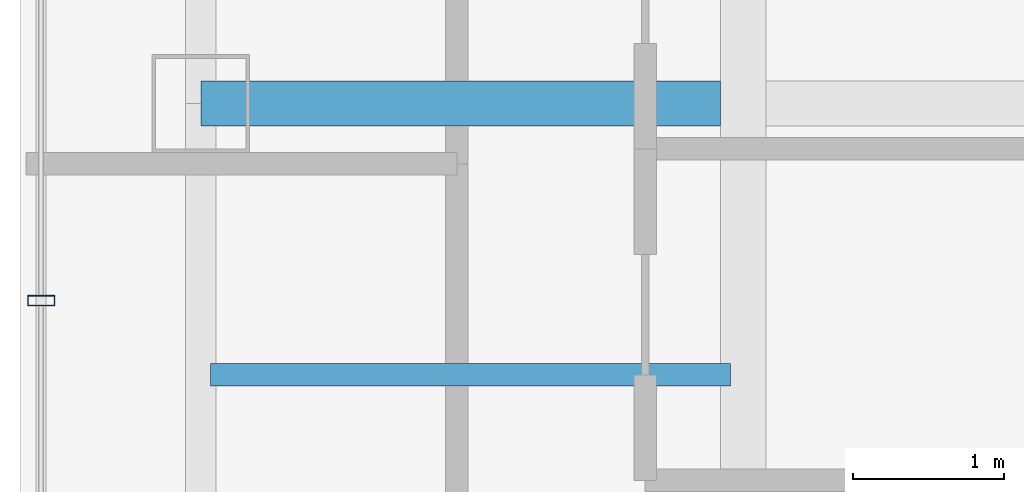
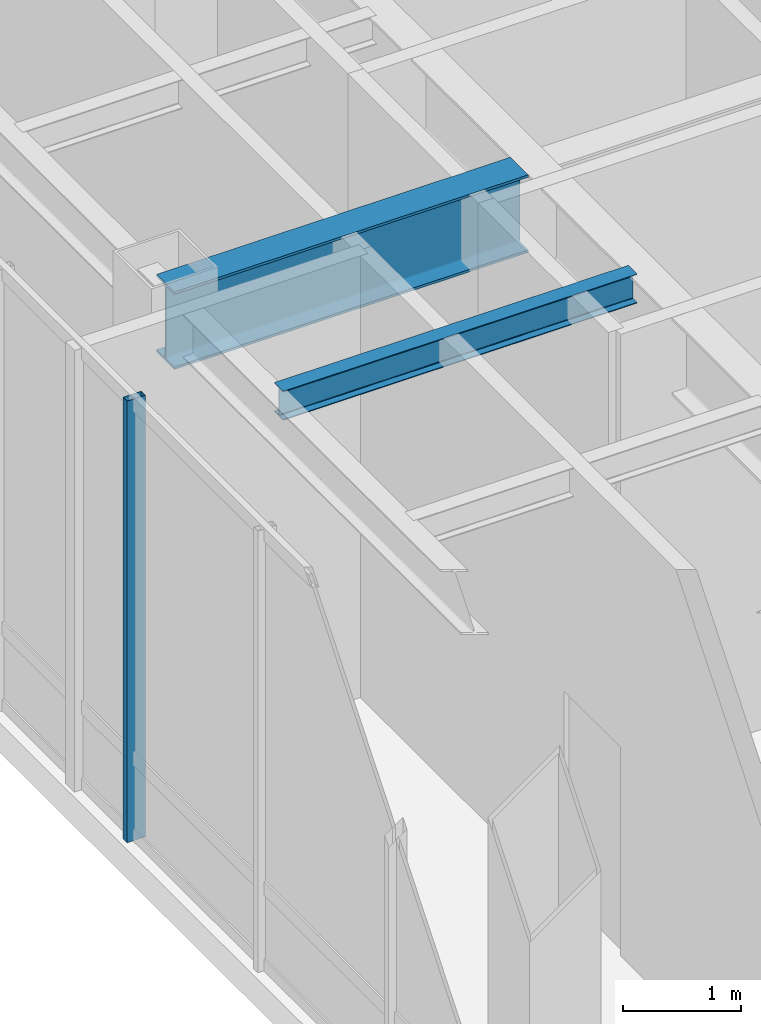
# One storey, part 4 of 21: 2 beams, 1 member, 1 element without a shape of its own.
"""IFC4 building model written with IfcOpenShell, lengths in metres."""

from ifc_helpers import new_model, si_unit, direction, frame, origin, origin_2d, place, context, subcontext, project, spatial, hollow_rectangle, i_section, extrude, material, layer, layer_set, material_profile, profile_set, type_object, element, aggregate, save


model = new_model("IFC4")

# Units and contexts
model_context = context("Model", 3, precision=1e-05, world=origin(), true_north=direction((0.0, 1.0)))
body_context = subcontext(model_context, "Body", "Model", "MODEL_VIEW")
ifc_project = project(units=[si_unit("LENGTHUNIT", "METRE"), si_unit("AREAUNIT", "SQUARE_METRE"), si_unit("VOLUMEUNIT", "CUBIC_METRE"), si_unit("PLANEANGLEUNIT", "RADIAN"), si_unit("MASSUNIT", "GRAM", prefix="KILO")], contexts=[model_context])

# Site, building, storey
site_placement = place(None, origin())
site = spatial("IfcSite", under=ifc_project, at=site_placement, CompositionType="ELEMENT")
building_placement = place(site_placement, origin())
building = spatial("IfcBuilding", under=site, at=building_placement, Name="Hatsunagi Terrace Concourse", CompositionType="ELEMENT")
storey_placement = place(building_placement, frame((0.0, 0.0, 234.75)))
storey = spatial("IfcBuildingStorey", under=building, at=storey_placement, Name="L62", CompositionType="ELEMENT", Elevation=234.75)

# Curtain wall, member
ifc_material_1 = material(Name="Anodised Aluminium Alloy 6063-T5", Category="aluminium")
ifc_layer = layer(ifc_material_1, 0.199951171875)
ifc_layer_set = layer_set([ifc_layer], Name="OfficeZone2_CW04")
curtain_wall_type = type_object("IfcCurtainWallType", Name="OfficeZone2_CW04", PredefinedType="NOTDEFINED", material=ifc_layer_set)
curtain_wall_placement = place(storey_placement, origin())
curtain_wall = element("IfcCurtainWall", 1, at=curtain_wall_placement, inside=storey, type_object=curtain_wall_type, Name="Unitised Curtain Wall CW-04 CW-L62-08", PredefinedType="NOTDEFINED")
ifc_material_2 = material(Name="Anodised Aluminium Alloy 6063-T5", Category="aluminium")
ifc_material_profile_1 = material_profile(ifc_material_2, hollow_rectangle(XDim=0.070068359375, YDim=0.179931640625, WallThickness=0.00390625, at=origin_2d()), Name="ALU-MUL-180x70x4")
ifc_profile_set_1 = profile_set([ifc_material_profile_1], Name="Anodised Aluminium Alloy 6063-T5")
member_type = type_object("IfcMemberType", Name="CurtainWallMullion_180x70", PredefinedType="MULLION", material=ifc_profile_set_1)
member_placement = place(storey_placement, frame((18.139892578125, 34.69189453125, 0.0), z_axis=(0.0, 0.0, 1.0), x_axis=(0.0, 1.0, 0.0)))
member = element("IfcMember", 2, at=member_placement, type_object=member_type, Name="Curtain Wall Mullion MUL-02", PredefinedType="MULLION", context=body_context, shape_type="SweptSolid", body=[
    extrude(hollow_rectangle(XDim=0.070068359375, YDim=0.179931640625, WallThickness=0.00390625, at=origin_2d()), origin(), (0.0, 0.0, 1.0), 4.550048828125),
])
aggregate(curtain_wall, [member])

# Beams
ifc_material_3 = material(Name="Steel SN490B", Category="steel")
ifc_material_profile_2 = material_profile(ifc_material_3, i_section(OverallWidth=0.14990234375, OverallDepth=0.300048828125, WebThickness=0.006591796875, FlangeThickness=0.009033203125, FilletRadius=0.010986328125, at=origin_2d()), Name="H-300x150x6.5x9")
ifc_profile_set_2 = profile_set([ifc_material_profile_2], Name="Steel SN490B")
beam_type_1 = type_object("IfcBeamType", Name="OfficeJoist_H_300x150", PredefinedType="JOIST", material=ifc_profile_set_2)
beam_1_placement = place(storey_placement, frame((19.264892578125, 34.199951171875, 4.39990234375), z_axis=(1.0, 0.0, 0.0), x_axis=(0.0, 1.0, 0.0)))
element("IfcBeam", 3, at=beam_1_placement, inside=storey, type_object=beam_type_1, Name="Beam J-03 J-L62-W-19-342", PredefinedType="JOIST", context=body_context, shape_type="SweptSolid", body=[
    extrude(i_section(OverallWidth=0.14990234375, OverallDepth=0.300048828125, WebThickness=0.006591796875, FlangeThickness=0.009033203125, FilletRadius=0.010986328125, at=origin_2d()), origin(), (0.0, 0.0, 1.0), 3.4501953125),
])
ifc_material_4 = material(Name="Steel SN490B", Category="steel")
ifc_material_profile_3 = material_profile(ifc_material_4, i_section(OverallWidth=0.300048828125, OverallDepth=0.800048828125, WebThickness=0.013916015625, FlangeThickness=0.02587890625, FilletRadius=0.02197265625, at=origin_2d()), Name="H-800x300x14x26")
ifc_profile_set_3 = profile_set([ifc_material_profile_3], Name="Steel SN490B")
beam_type_2 = type_object("IfcBeamType", Name="SkyLobbyGirder_H_800x300", PredefinedType="BEAM", material=ifc_profile_set_3)
beam_2_placement = place(storey_placement, frame((19.199951171875, 36.0, 4.14990234375), z_axis=(1.0, 0.0, 0.0), x_axis=(0.0, 1.0, 0.0)))
element("IfcBeam", 4, at=beam_2_placement, inside=storey, type_object=beam_type_2, Name="Beam G-03 BM-L62-EW-3", PredefinedType="BEAM", context=body_context, shape_type="SweptSolid", body=[
    extrude(i_section(OverallWidth=0.300048828125, OverallDepth=0.800048828125, WebThickness=0.013916015625, FlangeThickness=0.02587890625, FilletRadius=0.02197265625, at=origin_2d()), origin(), (0.0, 0.0, 1.0), 3.449951171875),
])

save(model, "model.ifc")
